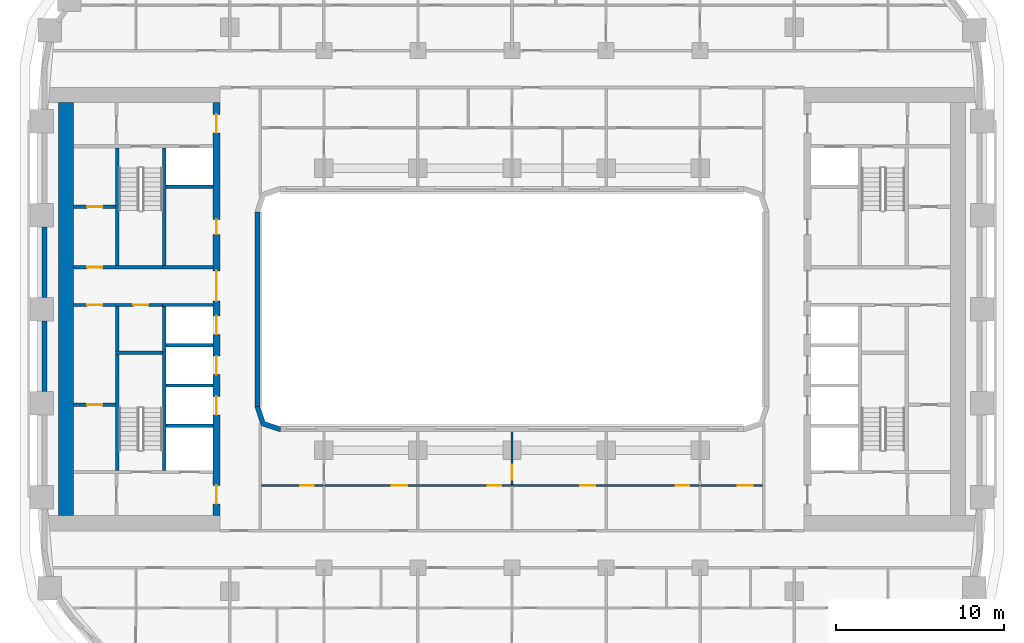
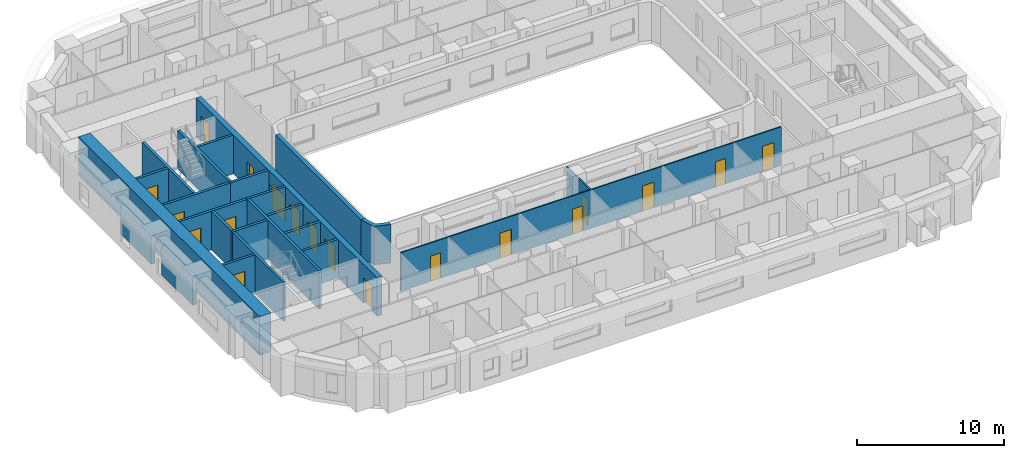
# One storey, part 4 of 22: 24 walls, 19 doors, 19 openings.
"""IFC4 building model written with IfcOpenShell, lengths in metres."""

import ifcopenshell
import ifcopenshell.guid

model = None  # the IFC model being written
_history = None  # IfcOwnerHistory: only IFC2X3 demands one
_inside = {}  # id of a spatial element -> (the spatial element, [elements in it])
_under = {}  # id of a project, library or spatial element -> (it, [spatial elements below it])
_declared = {}  # id of a project -> (the project, [libraries it declares])
_typed = {}  # id of a type object -> (the type object, [elements of that type])
_made_of = {}  # id of a material, layer set ... -> (it, [elements and type objects made of it])


def new_model(schema):
    """Start an empty IFC model of exactly this schema.

    Asked for "IFC4X3", IfcOpenShell would pick the latest addendum, in which some entities
    have other attributes; the version numbers below select the first issue.
    IFC2X3 requires an IfcOwnerHistory on every rooted entity: one is made here for all.
    """
    global model, _history
    if schema == "IFC4X3":
        model = ifcopenshell.file(schema_version=(4, 3, 0, 0))
    else:
        model = ifcopenshell.file(schema=schema)
    _inside.clear()
    _under.clear()
    _declared.clear()
    _typed.clear()
    _made_of.clear()
    _history = None
    if model.schema == "IFC2X3":
        org = make("IfcOrganization", Name="unknown")
        user = make(
            "IfcPersonAndOrganization",
            ThePerson=make("IfcPerson", FamilyName="unknown"),
            TheOrganization=org,
        )
        app = make(
            "IfcApplication",
            ApplicationDeveloper=org,
            Version="unknown",
            ApplicationFullName="unknown",
            ApplicationIdentifier="unknown",
        )
        _history = make(
            "IfcOwnerHistory",
            OwningUser=user,
            OwningApplication=app,
            ChangeAction="ADDED",
            CreationDate=0,
        )
    return model


def make(cls, **values):
    """One entity of the class cls with the attributes given. An attribute that is None is left unset."""
    return model.create_entity(
        cls, **{name: value for name, value in values.items() if value is not None}
    )


def rooted(cls, **values):
    """An entity with a GlobalId (a new one), such as an element, a storey or a relation."""
    return make(cls, GlobalId=ifcopenshell.guid.new(), OwnerHistory=_history, **values)


def si_unit(unit_type, name, prefix=None):
    """IfcSIUnit, for example si_unit("LENGTHUNIT", "METRE", prefix="MILLI")."""
    return make("IfcSIUnit", UnitType=unit_type, Prefix=prefix, Name=name)


def assignment(units):
    """IfcUnitAssignment: the units of a project."""
    return None if units is None else make("IfcUnitAssignment", Units=units)


def point(xyz):
    """IfcCartesianPoint."""
    return None if xyz is None else make("IfcCartesianPoint", Coordinates=xyz)


def direction(xyz):
    """IfcDirection."""
    return None if xyz is None else make("IfcDirection", DirectionRatios=xyz)


def frame(location, z_axis=None, x_axis=None):
    """IfcAxis2Placement3D, a coordinate frame: its origin and axes. An axis left out is left unset."""
    return make(
        "IfcAxis2Placement3D",
        Location=point(location),
        Axis=direction(z_axis),
        RefDirection=direction(x_axis),
    )


def frame_2d(location, x_axis=None):
    """IfcAxis2Placement2D, a coordinate frame in the plane: its origin and x axis."""
    return make(
        "IfcAxis2Placement2D", Location=point(location), RefDirection=direction(x_axis)
    )


def origin():
    """The frame at (0, 0, 0) with its axes left unset."""
    return frame((0.0, 0.0, 0.0))


def place(relative_to, where):
    """IfcLocalPlacement: puts the frame where relative to a parent placement (None: the world)."""
    return make(
        "IfcLocalPlacement", PlacementRelTo=relative_to, RelativePlacement=where
    )


def context(
    kind, dimensions, precision=None, world=None, true_north=None, identifier=None
):
    """IfcGeometricRepresentationContext, for example the 3D "Model" context."""
    return make(
        "IfcGeometricRepresentationContext",
        ContextIdentifier=identifier,
        ContextType=kind,
        CoordinateSpaceDimension=dimensions,
        Precision=precision,
        WorldCoordinateSystem=world,
        TrueNorth=true_north,
    )


def subcontext(parent, identifier, kind, view, scale=None):
    """IfcGeometricRepresentationSubContext, for example "Body" below "Model"."""
    return make(
        "IfcGeometricRepresentationSubContext",
        ContextIdentifier=identifier,
        ContextType=kind,
        ParentContext=parent,
        TargetScale=scale,
        TargetView=view,
    )


def project(units=None, contexts=None):
    """IfcProject with its units and contexts."""
    return rooted(
        "IfcProject",
        Name="project",
        RepresentationContexts=contexts,
        UnitsInContext=assignment(units),
    )


def spatial(cls, under=None, at=None, **own):
    """A site, building, storey or space (cls), placed at a placement, below another one or the project."""
    s = rooted(cls, ObjectPlacement=at, **own)
    if under is not None:
        _under.setdefault(under.id(), (under, []))[1].append(s)
    return s


def polyline(points):
    """IfcPolyline through the points."""
    return make("IfcPolyline", Points=[point(p) for p in points])


def profile(cls, at=None, kind="AREA", **sizes):
    """A parametric profile (cls). Its sizes go by their IFC names, for example OverallWidth=200.0."""
    return make(cls, ProfileType=kind, Position=at, **sizes)


def rectangle(**sizes):
    """IfcRectangleProfileDef."""
    return profile("IfcRectangleProfileDef", **sizes)


def outline(outer, holes=None, kind="AREA"):
    """IfcArbitraryClosedProfileDef: a profile drawn as a closed curve; with holes, ...WithVoids."""
    if holes is None:
        return make("IfcArbitraryClosedProfileDef", ProfileType=kind, OuterCurve=outer)
    return make(
        "IfcArbitraryProfileDefWithVoids",
        ProfileType=kind,
        OuterCurve=outer,
        InnerCurves=holes,
    )


def extrude(swept, where, along, depth):
    """IfcExtrudedAreaSolid: the profile swept, set in the frame where, extruded along a direction by depth."""
    return make(
        "IfcExtrudedAreaSolid",
        SweptArea=swept,
        Position=where,
        ExtrudedDirection=direction(along),
        Depth=depth,
    )


def shape(context_of_items, identifier, shape_type, items):
    """IfcShapeRepresentation: the items that make up one representation, for example the "Body"."""
    return make(
        "IfcShapeRepresentation",
        ContextOfItems=context_of_items,
        RepresentationIdentifier=identifier,
        RepresentationType=shape_type,
        Items=items,
    )


def material(Name=None, Category=None):
    """IfcMaterial."""
    return make("IfcMaterial", Name=Name, Category=Category)


def layer(
    of_material, thickness, ventilated=None, Name=None, Category=None, Priority=None
):
    """IfcMaterialLayer: one layer of a wall or slab, of a material (None: an air gap)."""
    return make(
        "IfcMaterialLayer",
        Material=of_material,
        LayerThickness=thickness,
        IsVentilated=ventilated,
        Name=Name,
        Category=Category,
        Priority=Priority,
    )


def layer_set(layers, Name=None):
    """IfcMaterialLayerSet."""
    return make("IfcMaterialLayerSet", MaterialLayers=layers, LayerSetName=Name)


def made_of(thing, what):
    """Note that an element or type object is made of a material, layer set ...; save() writes the relation."""
    if what is not None:
        _made_of.setdefault(what.id(), (what, []))[1].append(thing)
    return thing


def type_object(cls, material=None, **own):
    """A type object (cls), such as IfcWallType, which elements share."""
    return made_of(rooted(cls, **own), material)


def element(
    cls,
    number,
    at=None,
    inside=None,
    cuts=None,
    type_object=None,
    material=None,
    context=None,
    identifier="Body",
    shape_type=None,
    held_by="IfcProductDefinitionShape",
    body=None,
    shapes=None,
    **own,
):
    """One element of the class cls, such as IfcWall. Its Tag is "e" and its number.

    at: its placement. inside: the storey or other place that contains it. cuts: it is an
    opening in that element (IfcRelVoidsElement). A single representation is given by context,
    identifier, shape_type and body (its items); several are given by shapes. held_by: the class
    of the entity that holds the representations. save() writes the other relations.
    """
    e = rooted(cls, Tag="e%d" % number, ObjectPlacement=at, **own)
    if body is not None:
        shapes = [shape(context, identifier, shape_type, body)]
    if shapes is not None:
        e.Representation = make(held_by, Representations=shapes)
    if inside is not None:
        _inside.setdefault(inside.id(), (inside, []))[1].append(e)
    if cuts is not None:
        rooted(
            "IfcRelVoidsElement", RelatingBuildingElement=cuts, RelatedOpeningElement=e
        )
    if type_object is not None:
        _typed.setdefault(type_object.id(), (type_object, []))[1].append(e)
    return made_of(e, material)


def fill(opening, filler):
    """IfcRelFillsElement: the door or window that sits in an opening."""
    return rooted(
        "IfcRelFillsElement",
        RelatingOpeningElement=opening,
        RelatedBuildingElement=filler,
    )


def aggregate(whole, parts):
    """IfcRelAggregates: a whole, such as a stair, and the parts it consists of."""
    return rooted("IfcRelAggregates", RelatingObject=whole, RelatedObjects=parts)


def save(model, path):
    """Write the relations noted so far, then the file.

    IfcRelAggregates (storeys below a building ...), IfcRelContainedInSpatialStructure (elements
    in a storey), IfcRelDefinesByType, IfcRelAssociatesMaterial and IfcRelDeclares: one each for
    every whole, place, type object, material and project.
    """
    for whole, parts in _under.values():
        aggregate(whole, parts)
    for where, things in _inside.values():
        rooted(
            "IfcRelContainedInSpatialStructure",
            RelatedElements=things,
            RelatingStructure=where,
        )
    for kind, things in _typed.values():
        rooted("IfcRelDefinesByType", RelatedObjects=things, RelatingType=kind)
    for what, things in _made_of.values():
        rooted("IfcRelAssociatesMaterial", RelatedObjects=things, RelatingMaterial=what)
    for by, libraries in _declared.values():
        rooted("IfcRelDeclares", RelatingContext=by, RelatedDefinitions=libraries)
    model.write(path)


model = new_model("IFC4")

# Units and contexts
model_context = context("Model", 3, precision=1e-05, world=origin(), true_north=direction((0.0, 1.0)))
body_context = subcontext(model_context, "Body", "Model", "MODEL_VIEW")
ifc_project = project(units=[si_unit("LENGTHUNIT", "METRE"), si_unit("AREAUNIT", "SQUARE_METRE"), si_unit("VOLUMEUNIT", "CUBIC_METRE"), si_unit("PLANEANGLEUNIT", "RADIAN"), si_unit("MASSUNIT", "GRAM", prefix="KILO")], contexts=[model_context])

# Site, building, storey
site_placement = place(None, origin())
site = spatial("IfcSite", under=ifc_project, at=site_placement, CompositionType="ELEMENT")
building_placement = place(site_placement, origin())
building = spatial("IfcBuilding", under=site, at=building_placement, Name="Kiln Ring Residences", CompositionType="ELEMENT")
storey_placement = place(building_placement, frame((0.0, 0.0, 58.5)))
storey = spatial("IfcBuildingStorey", under=building, at=storey_placement, Name="L14", CompositionType="ELEMENT", Elevation=58.5)

# Wall
ifc_material_1 = material(Name="Gypsum board on steel studs", Category="steel")
ifc_layer_1 = layer(ifc_material_1, 0.199951171875)
ifc_layer_set_1 = layer_set([ifc_layer_1], Name="CORE-PARTITION-200")
wall_type_1 = type_object("IfcWallType", Name="CORE-PARTITION-200", PredefinedType="PARTITIONING", material=ifc_layer_set_1)
wall_1_placement = place(storey_placement, frame((-23.5, -2.5, 0.0), z_axis=(0.0, 0.0, 1.0), x_axis=(0.0, 1.0, 0.0)))
element("IfcWall", 1, at=wall_1_placement, inside=storey, type_object=wall_type_1, Name="Core partition west L14 1", PredefinedType="PARTITIONING", context=body_context, shape_type="SweptSolid", body=[
    extrude(rectangle(XDim=2.64990234375, YDim=0.199951171875, at=frame_2d((1.324951171875, 0.0))), origin(), (0.0, 0.0, 1.0), 3.199951171875),
])

# Wall, openings, doors
wall_2_placement = place(storey_placement, frame((-20.800048828125, 0.25, 0.0), z_axis=(0.0, 0.0, 1.0), x_axis=(-1.0, 0.0, 0.0)))
wall_2 = element("IfcWall", 2, at=wall_2_placement, inside=storey, type_object=wall_type_1, Name="Core partition west L14 2", PredefinedType="PARTITIONING", context=body_context, shape_type="SweptSolid", body=[
    extrude(rectangle(XDim=5.300048828125, YDim=0.199951171875, at=frame_2d((2.64990234375, 0.0))), origin(), (0.0, 0.0, 1.0), 3.199951171875),
])
opening_1_placement = place(wall_2_placement, frame((0.85009765625, 0.0, 0.0)))
opening_1 = element("IfcOpeningElement", 3, at=opening_1_placement, cuts=wall_2, Name="Opening L14-CW14", PredefinedType="OPENING", context=body_context, shape_type="SweptSolid", body=[
    extrude(rectangle(XDim=0.89990234375, YDim=2.10009765625, at=frame_2d((0.449951171875, 1.050048828125))), frame((0.0, 0.10986328125, 0.0), z_axis=(0.0, -1.0, 0.0), x_axis=(1.0, 0.0, 0.0)), (0.0, 0.0, 1.0), 0.219970703125),
])
opening_2_placement = place(wall_2_placement, frame((3.60009765625, 0.0, 0.0)))
opening_2 = element("IfcOpeningElement", 4, at=opening_2_placement, cuts=wall_2, Name="Opening L14-CW16", PredefinedType="OPENING", context=body_context, shape_type="SweptSolid", body=[
    extrude(rectangle(XDim=0.89990234375, YDim=2.10009765625, at=frame_2d((0.449951171875, 1.050048828125))), frame((0.0, 0.10986328125, 0.0), z_axis=(0.0, -1.0, 0.0), x_axis=(1.0, 0.0, 0.0)), (0.0, 0.0, 1.0), 0.219970703125),
])
ifc_material_2 = material(Name="Steel door leaf", Category="steel")
door_type_1 = type_object("IfcDoorType", Name="CORE-DOOR-ROOM", OperationType="SINGLE_SWING_LEFT", PredefinedType="DOOR", material=ifc_material_2)
door_1_placement = place(opening_1_placement, origin())
door_1 = element("IfcDoor", 5, at=door_1_placement, inside=storey, type_object=door_type_1, Name="Housekeeping store L14-CW14", OperationType="SINGLE_SWING_RIGHT", OverallHeight=2.10009765625, OverallWidth=0.89990234375, PredefinedType="DOOR", context=body_context, shape_type="SweptSolid", body=[
    extrude(rectangle(XDim=0.89990234375, YDim=2.10009765625, at=frame_2d((0.449951171875, 1.050048828125))), frame((0.0, 0.02490234375, 0.0), z_axis=(0.0, -1.0, 0.0), x_axis=(1.0, 0.0, 0.0)), (0.0, 0.0, 1.0), 0.050048828125),
])
fill(opening_1, door_1)
door_2_placement = place(opening_2_placement, origin())
door_2 = element("IfcDoor", 6, at=door_2_placement, inside=storey, type_object=door_type_1, Name="Battery room L14-CW16", OperationType="SINGLE_SWING_RIGHT", OverallHeight=2.10009765625, OverallWidth=0.89990234375, PredefinedType="DOOR", context=body_context, shape_type="SweptSolid", body=[
    extrude(rectangle(XDim=0.89990234375, YDim=2.10009765625, at=frame_2d((0.449951171875, 1.050048828125))), frame((0.0, 0.02490234375, 0.0), z_axis=(0.0, -1.0, 0.0), x_axis=(1.0, 0.0, 0.0)), (0.0, 0.0, 1.0), 0.050048828125),
])
fill(opening_2, door_2)

# Wall, opening, door
wall_3_placement = place(storey_placement, frame((-23.60009765625, -5.699951171875, 0.0), z_axis=(0.0, 0.0, 1.0), x_axis=(-1.0, 0.0, 0.0)))
wall_3 = element("IfcWall", 7, at=wall_3_placement, inside=storey, type_object=wall_type_1, Name="Core partition west L14 5", PredefinedType="PARTITIONING", context=body_context, shape_type="SweptSolid", body=[
    extrude(rectangle(XDim=2.5, YDim=0.199951171875, at=frame_2d((1.25, 0.0))), origin(), (0.0, 0.0, 1.0), 3.199951171875),
])
opening_3_placement = place(wall_3_placement, frame((0.800048828125, 0.0, 0.0)))
opening_3 = element("IfcOpeningElement", 8, at=opening_3_placement, cuts=wall_3, Name="Opening L14-CW15", PredefinedType="OPENING", context=body_context, shape_type="SweptSolid", body=[
    extrude(rectangle(XDim=0.89990234375, YDim=2.10009765625, at=frame_2d((0.449951171875, 1.050048828125))), frame((0.0, 0.10986328125, 0.0), z_axis=(0.0, -1.0, 0.0), x_axis=(1.0, 0.0, 0.0)), (0.0, 0.0, 1.0), 0.219970703125),
])
door_3_placement = place(opening_3_placement, origin())
door_3 = element("IfcDoor", 9, at=door_3_placement, inside=storey, type_object=door_type_1, Name="Battery room L14-CW15", OperationType="SINGLE_SWING_RIGHT", OverallHeight=2.10009765625, OverallWidth=0.89990234375, PredefinedType="DOOR", context=body_context, shape_type="SweptSolid", body=[
    extrude(rectangle(XDim=0.89990234375, YDim=2.10009765625, at=frame_2d((0.449951171875, 1.050048828125))), frame((0.0, 0.02490234375, 0.0), z_axis=(0.0, -1.0, 0.0), x_axis=(1.0, 0.0, 0.0)), (0.0, 0.0, 1.0), 0.050048828125),
])
fill(opening_3, door_3)

wall_4_placement = place(storey_placement, frame((-23.60009765625, 6.10009765625, 0.0), z_axis=(0.0, 0.0, 1.0), x_axis=(-1.0, 0.0, 0.0)))
wall_4 = element("IfcWall", 10, at=wall_4_placement, inside=storey, type_object=wall_type_1, Name="Core partition west L14 6", PredefinedType="PARTITIONING", context=body_context, shape_type="SweptSolid", body=[
    extrude(rectangle(XDim=2.5, YDim=0.199951171875, at=frame_2d((1.25, 0.0))), origin(), (0.0, 0.0, 1.0), 3.199951171875),
])
opening_4_placement = place(wall_4_placement, frame((0.800048828125, 0.0, 0.0)))
opening_4 = element("IfcOpeningElement", 11, at=opening_4_placement, cuts=wall_4, Name="Opening L14-CW17", PredefinedType="OPENING", context=body_context, shape_type="SweptSolid", body=[
    extrude(rectangle(XDim=0.89990234375, YDim=2.10009765625, at=frame_2d((0.449951171875, 1.050048828125))), frame((0.0, 0.10986328125, 0.0), z_axis=(0.0, -1.0, 0.0), x_axis=(1.0, 0.0, 0.0)), (0.0, 0.0, 1.0), 0.219970703125),
])
door_4_placement = place(opening_4_placement, origin())
door_4 = element("IfcDoor", 12, at=door_4_placement, inside=storey, type_object=door_type_1, Name="Electrical plant room L14-CW17", OperationType="SINGLE_SWING_RIGHT", OverallHeight=2.10009765625, OverallWidth=0.89990234375, PredefinedType="DOOR", context=body_context, shape_type="SweptSolid", body=[
    extrude(rectangle(XDim=0.89990234375, YDim=2.10009765625, at=frame_2d((0.449951171875, 1.050048828125))), frame((0.0, 0.02490234375, 0.0), z_axis=(0.0, -1.0, 0.0), x_axis=(1.0, 0.0, 0.0)), (0.0, 0.0, 1.0), 0.050048828125),
])
fill(opening_4, door_4)

# Walls
ifc_material_3 = material(Name="Gypsum shaft wall system")
ifc_layer_2 = layer(ifc_material_3, 0.199951171875)
ifc_layer_set_2 = layer_set([ifc_layer_2], Name="CORE-SHAFT-WALL-200")
wall_type_2 = type_object("IfcWallType", Name="CORE-SHAFT-WALL-200", PredefinedType="PARTITIONING", material=ifc_layer_set_2)
for number, where, z_axis, x_axis, name in (
    (13, (-17.800048828125, -6.949951171875, 0.0), (0.0, 0.0, 1.0), (-1.0, 0.0, 0.0), "Core partition west L14 7"),
    (14, (-17.800048828125, -4.550048828125, 0.0), (0.0, 0.0, 1.0), (-1.0, 0.0, 0.0), "Core partition west L14 8"),
    (15, (-17.800048828125, -2.14990234375, 0.0), (0.0, 0.0, 1.0), (-1.0, 0.0, 0.0), "Core partition west L14 9"),
):
    element("IfcWall", number, at=place(storey_placement, frame(where, z_axis=z_axis, x_axis=x_axis)), inside=storey, type_object=wall_type_2, Name=name, PredefinedType="PARTITIONING", context=body_context, shape_type="SweptSolid", body=[
        extrude(rectangle(XDim=2.800048828125, YDim=0.199951171875, at=frame_2d((1.39990234375, 0.0))), origin(), (0.0, 0.0, 1.0), 3.199951171875),
    ])
for number, where, z_axis, x_axis, name in (
    (16, (-17.800048828125, 0.25, 0.0), (0.0, 0.0, 1.0), (-1.0, 0.0, 0.0), "Core partition west L14 10"),
    (17, (-17.800048828125, 2.5, 0.0), (0.0, 0.0, 1.0), (-1.0, 0.0, 0.0), "Core partition west L14 11"),
):
    element("IfcWall", number, at=place(storey_placement, frame(where, z_axis=z_axis, x_axis=x_axis)), inside=storey, type_object=wall_type_2, Name=name, PredefinedType="PARTITIONING", context=body_context, shape_type="SweptSolid", body=[
        extrude(rectangle(XDim=3.0, YDim=0.199951171875, at=frame_2d((1.5, 0.0))), origin(), (0.0, 0.0, 1.0), 3.199951171875),
    ])
wall_5_placement = place(storey_placement, frame((-17.800048828125, 7.300048828125, 0.0), z_axis=(0.0, 0.0, 1.0), x_axis=(-1.0, 0.0, 0.0)))
element("IfcWall", 18, at=wall_5_placement, inside=storey, type_object=wall_type_2, Name="Core partition west L14 12", PredefinedType="PARTITIONING", context=body_context, shape_type="SweptSolid", body=[
    extrude(rectangle(XDim=2.800048828125, YDim=0.199951171875, at=frame_2d((1.39990234375, 0.0))), origin(), (0.0, 0.0, 1.0), 3.199951171875),
])
ifc_material_4 = material(Name="Concrete C40/50", Category="concrete")
ifc_layer_3 = layer(ifc_material_4, 0.199951171875)
ifc_layer_set_3 = layer_set([ifc_layer_3], Name="CORE-WALL-RC200")
wall_type_3 = type_object("IfcWallType", Name="CORE-WALL-RC200", PredefinedType="SHEAR", material=ifc_layer_set_3)
wall_6_placement = place(storey_placement, frame((-20.699951171875, 2.60009765625, 0.0), z_axis=(0.0, 0.0, 1.0), x_axis=(0.0, 1.0, 0.0)))
element("IfcWall", 19, at=wall_6_placement, inside=storey, type_object=wall_type_3, Name="Core wall west L14 1", PredefinedType="SHEAR", context=body_context, shape_type="SweptSolid", body=[
    extrude(rectangle(XDim=7.0, YDim=0.199951171875, at=frame_2d((3.5, 0.0))), origin(), (0.0, 0.0, 1.0), 3.199951171875),
])
wall_7_placement = place(storey_placement, frame((-20.699951171875, -9.60009765625, 0.0), z_axis=(0.0, 0.0, 1.0), x_axis=(0.0, 1.0, 0.0)))
element("IfcWall", 20, at=wall_7_placement, inside=storey, type_object=wall_type_3, Name="Core wall west L14 2", PredefinedType="SHEAR", context=body_context, shape_type="SweptSolid", body=[
    extrude(rectangle(XDim=9.75, YDim=0.199951171875, at=frame_2d((4.875, 0.0))), origin(), (0.0, 0.0, 1.0), 3.199951171875),
])

# Wall, opening, door
wall_8_placement = place(storey_placement, frame((-20.800048828125, 2.5, 0.0), z_axis=(0.0, 0.0, 1.0), x_axis=(-1.0, 0.0, 0.0)))
wall_8 = element("IfcWall", 21, at=wall_8_placement, inside=storey, type_object=wall_type_3, Name="Core wall west L14 3", PredefinedType="SHEAR", context=body_context, shape_type="SweptSolid", body=[
    extrude(rectangle(XDim=5.300048828125, YDim=0.199951171875, at=frame_2d((2.64990234375, 0.0))), origin(), (0.0, 0.0, 1.0), 3.199951171875),
])
opening_5_placement = place(wall_8_placement, frame((3.60009765625, 0.0, 0.0)))
opening_5 = element("IfcOpeningElement", 22, at=opening_5_placement, cuts=wall_8, Name="Opening L14-CW18", PredefinedType="OPENING", context=body_context, shape_type="SweptSolid", body=[
    extrude(rectangle(XDim=0.89990234375, YDim=2.10009765625, at=frame_2d((0.449951171875, 1.050048828125))), frame((0.0, 0.10986328125, 0.0), z_axis=(0.0, -1.0, 0.0), x_axis=(1.0, 0.0, 0.0)), (0.0, 0.0, 1.0), 0.219970703125),
])
door_5_placement = place(opening_5_placement, origin())
door_5 = element("IfcDoor", 23, at=door_5_placement, inside=storey, type_object=door_type_1, Name="Comms room L14-CW18", OperationType="SINGLE_SWING_LEFT", OverallHeight=2.10009765625, OverallWidth=0.89990234375, PredefinedType="DOOR", context=body_context, shape_type="SweptSolid", body=[
    extrude(rectangle(XDim=0.89990234375, YDim=2.10009765625, at=frame_2d((0.449951171875, 1.050048828125))), frame((0.0, 0.02490234375, 0.0), z_axis=(0.0, -1.0, 0.0), x_axis=(1.0, 0.0, 0.0)), (0.0, 0.0, 1.0), 0.050048828125),
])
fill(opening_5, door_5)

# Walls
wall_9_placement = place(storey_placement, frame((-23.5, 2.60009765625, 0.0), z_axis=(0.0, 0.0, 1.0), x_axis=(0.0, 1.0, 0.0)))
element("IfcWall", 24, at=wall_9_placement, inside=storey, type_object=wall_type_3, Name="Core wall west L14 10", PredefinedType="SHEAR", context=body_context, shape_type="SweptSolid", body=[
    extrude(rectangle(XDim=7.0, YDim=0.199951171875, at=frame_2d((3.5, 0.0))), origin(), (0.0, 0.0, 1.0), 3.199951171875),
])
wall_10_placement = place(storey_placement, frame((-23.5, -9.60009765625, 0.0), z_axis=(0.0, 0.0, 1.0), x_axis=(0.0, 1.0, 0.0)))
element("IfcWall", 25, at=wall_10_placement, inside=storey, type_object=wall_type_3, Name="Core wall west L14 11", PredefinedType="SHEAR", context=body_context, shape_type="SweptSolid", body=[
    extrude(rectangle(XDim=6.900146484375, YDim=0.199951171875, at=frame_2d((3.4501953125, 0.0))), origin(), (0.0, 0.0, 1.0), 3.199951171875),
])
wall_11_placement = place(storey_placement, frame((-20.800048828125, -2.60009765625, 0.0), z_axis=(0.0, 0.0, 1.0), x_axis=(-1.0, 0.0, 0.0)))
element("IfcWall", 26, at=wall_11_placement, inside=storey, type_object=wall_type_3, Name="Core wall west L14 12", PredefinedType="SHEAR", context=body_context, shape_type="SweptSolid", body=[
    extrude(rectangle(XDim=2.800048828125, YDim=0.199951171875, at=frame_2d((1.39990234375, 0.0))), origin(), (0.0, 0.0, 1.0), 3.199951171875),
])

# Wall, openings, doors
ifc_material_5 = material(Name="Concrete C60/75", Category="concrete")
ifc_layer_4 = layer(ifc_material_5, 0.39990234375)
ifc_layer_set_4 = layer_set([ifc_layer_4], Name="CORE-WALL-RC400")
wall_type_4 = type_object("IfcWallType", Name="CORE-WALL-RC400", PredefinedType="SHEAR", material=ifc_layer_set_4)
wall_12_placement = place(storey_placement, frame((-17.60009765625, -12.300048828125, 0.0), z_axis=(0.0, 0.0, 1.0), x_axis=(0.0, 1.0, 0.0)))
wall_12 = element("IfcWall", 27, at=wall_12_placement, inside=storey, type_object=wall_type_4, Name="Core wall west L14 6", PredefinedType="SHEAR", context=body_context, shape_type="SweptSolid", body=[
    extrude(rectangle(XDim=24.60009765625, YDim=0.39990234375, at=frame_2d((12.300048828125, 0.0))), origin(), (0.0, 0.0, 1.0), 3.199951171875),
])
opening_6_placement = place(wall_12_placement, frame((6.0, 0.0, 0.0)))
opening_6 = element("IfcOpeningElement", 28, at=opening_6_placement, cuts=wall_12, Name="Opening L14-CW02", PredefinedType="OPENING", context=body_context, shape_type="SweptSolid", body=[
    extrude(rectangle(XDim=1.10009765625, YDim=2.10009765625, at=frame_2d((0.550048828125, 1.050048828125))), frame((0.0, 0.2099609375, 0.0), z_axis=(0.0, -1.0, 0.0), x_axis=(1.0, 0.0, 0.0)), (0.0, 0.0, 1.0), 0.419921875),
])
opening_7_placement = place(wall_12_placement, frame((8.39990234375, 0.0, 0.0)))
opening_7 = element("IfcOpeningElement", 29, at=opening_7_placement, cuts=wall_12, Name="Opening L14-CW03", PredefinedType="OPENING", context=body_context, shape_type="SweptSolid", body=[
    extrude(rectangle(XDim=1.10009765625, YDim=2.10009765625, at=frame_2d((0.550048828125, 1.050048828125))), frame((0.0, 0.2099609375, 0.0), z_axis=(0.0, -1.0, 0.0), x_axis=(1.0, 0.0, 0.0)), (0.0, 0.0, 1.0), 0.419921875),
])
opening_8_placement = place(wall_12_placement, frame((10.800048828125, 0.0, 0.0)))
opening_8 = element("IfcOpeningElement", 30, at=opening_8_placement, cuts=wall_12, Name="Opening L14-CW04", PredefinedType="OPENING", context=body_context, shape_type="SweptSolid", body=[
    extrude(rectangle(XDim=1.10009765625, YDim=2.10009765625, at=frame_2d((0.550048828125, 1.050048828125))), frame((0.0, 0.2099609375, 0.0), z_axis=(0.0, -1.0, 0.0), x_axis=(1.0, 0.0, 0.0)), (0.0, 0.0, 1.0), 0.419921875),
])
opening_9_placement = place(wall_12_placement, frame((16.75, 0.0, 0.0)))
opening_9 = element("IfcOpeningElement", 31, at=opening_9_placement, cuts=wall_12, Name="Opening L14-CW05", PredefinedType="OPENING", context=body_context, shape_type="SweptSolid", body=[
    extrude(rectangle(XDim=0.89990234375, YDim=2.10009765625, at=frame_2d((0.449951171875, 1.050048828125))), frame((0.0, 0.2099609375, 0.0), z_axis=(0.0, -1.0, 0.0), x_axis=(1.0, 0.0, 0.0)), (0.0, 0.0, 1.0), 0.419921875),
])
opening_10_placement = place(wall_12_placement, frame((22.800048828125, 0.0, 0.0)))
opening_10 = element("IfcOpeningElement", 32, at=opening_10_placement, cuts=wall_12, Name="Opening L14-CW07", PredefinedType="OPENING", context=body_context, shape_type="SweptSolid", body=[
    extrude(rectangle(XDim=1.10009765625, YDim=2.10009765625, at=frame_2d((0.550048828125, 1.050048828125))), frame((0.0, 0.2099609375, 0.0), z_axis=(0.0, -1.0, 0.0), x_axis=(1.0, 0.0, 0.0)), (0.0, 0.0, 1.0), 0.419921875),
])
opening_11_placement = place(wall_12_placement, frame((0.699951171875, 0.0, 0.0)))
opening_11 = element("IfcOpeningElement", 33, at=opening_11_placement, cuts=wall_12, Name="Opening L14-CW08", PredefinedType="OPENING", context=body_context, shape_type="SweptSolid", body=[
    extrude(rectangle(XDim=1.10009765625, YDim=2.10009765625, at=frame_2d((0.550048828125, 1.050048828125))), frame((0.0, 0.2099609375, 0.0), z_axis=(0.0, -1.0, 0.0), x_axis=(1.0, 0.0, 0.0)), (0.0, 0.0, 1.0), 0.419921875),
])
opening_12_placement = place(wall_12_placement, frame((12.77490234375, 0.0, 0.0)))
opening_12 = element("IfcOpeningElement", 34, at=opening_12_placement, cuts=wall_12, Name="Opening L14-CW13", PredefinedType="OPENING", context=body_context, shape_type="SweptSolid", body=[
    extrude(rectangle(XDim=1.800048828125, YDim=2.10009765625, at=frame_2d((0.89990234375, 1.050048828125))), frame((0.0, 0.2099609375, 0.0), z_axis=(0.0, -1.0, 0.0), x_axis=(1.0, 0.0, 0.0)), (0.0, 0.0, 1.0), 0.419921875),
])
ifc_material_6 = material(Name="Steel door leaf", Category="steel")
door_type_2 = type_object("IfcDoorType", Name="CORE-DOOR-LD", OperationType="DOUBLE_DOOR_SLIDING", PredefinedType="DOOR", material=ifc_material_6)
door_6_placement = place(opening_6_placement, origin())
door_6 = element("IfcDoor", 35, at=door_6_placement, inside=storey, type_object=door_type_2, Name="LD W-L1 L14-CW02", OperationType="DOUBLE_DOOR_SLIDING", OverallHeight=2.10009765625, OverallWidth=1.10009765625, PredefinedType="DOOR", context=body_context, shape_type="SweptSolid", body=[
    extrude(rectangle(XDim=1.10009765625, YDim=2.10009765625, at=frame_2d((0.550048828125, 1.050048828125))), frame((0.0, 0.02490234375, 0.0), z_axis=(0.0, -1.0, 0.0), x_axis=(1.0, 0.0, 0.0)), (0.0, 0.0, 1.0), 0.050048828125),
])
fill(opening_6, door_6)
door_7_placement = place(opening_7_placement, origin())
door_7 = element("IfcDoor", 36, at=door_7_placement, inside=storey, type_object=door_type_2, Name="LD W-L2 L14-CW03", OperationType="DOUBLE_DOOR_SLIDING", OverallHeight=2.10009765625, OverallWidth=1.10009765625, PredefinedType="DOOR", context=body_context, shape_type="SweptSolid", body=[
    extrude(rectangle(XDim=1.10009765625, YDim=2.10009765625, at=frame_2d((0.550048828125, 1.050048828125))), frame((0.0, 0.02490234375, 0.0), z_axis=(0.0, -1.0, 0.0), x_axis=(1.0, 0.0, 0.0)), (0.0, 0.0, 1.0), 0.050048828125),
])
fill(opening_7, door_7)
door_8_placement = place(opening_8_placement, origin())
door_8 = element("IfcDoor", 37, at=door_8_placement, inside=storey, type_object=door_type_2, Name="LD W-L3 L14-CW04", OperationType="DOUBLE_DOOR_SLIDING", OverallHeight=2.10009765625, OverallWidth=1.10009765625, PredefinedType="DOOR", context=body_context, shape_type="SweptSolid", body=[
    extrude(rectangle(XDim=1.10009765625, YDim=2.10009765625, at=frame_2d((0.550048828125, 1.050048828125))), frame((0.0, 0.02490234375, 0.0), z_axis=(0.0, -1.0, 0.0), x_axis=(1.0, 0.0, 0.0)), (0.0, 0.0, 1.0), 0.050048828125),
])
fill(opening_8, door_8)
ifc_material_7 = material(Name="Steel door leaf", Category="steel")
door_type_3 = type_object("IfcDoorType", Name="CORE-DOOR-LOBBY", OperationType="SINGLE_SWING_LEFT", PredefinedType="DOOR", material=ifc_material_7)
door_9_placement = place(opening_10_placement, origin())
door_9 = element("IfcDoor", 38, at=door_9_placement, inside=storey, type_object=door_type_3, Name="FFL L14-CW07", OperationType="SINGLE_SWING_RIGHT", OverallHeight=2.10009765625, OverallWidth=1.10009765625, PredefinedType="DOOR", context=body_context, shape_type="SweptSolid", body=[
    extrude(rectangle(XDim=1.10009765625, YDim=2.10009765625, at=frame_2d((0.550048828125, 1.050048828125))), frame((0.0, 0.02490234375, 0.0), z_axis=(0.0, -1.0, 0.0), x_axis=(1.0, 0.0, 0.0)), (0.0, 0.0, 1.0), 0.050048828125),
])
fill(opening_10, door_9)
door_10_placement = place(opening_11_placement, origin())
door_10 = element("IfcDoor", 39, at=door_10_placement, inside=storey, type_object=door_type_3, Name="SVL L14-CW08", OperationType="SINGLE_SWING_LEFT", OverallHeight=2.10009765625, OverallWidth=1.10009765625, PredefinedType="DOOR", context=body_context, shape_type="SweptSolid", body=[
    extrude(rectangle(XDim=1.10009765625, YDim=2.10009765625, at=frame_2d((0.550048828125, 1.050048828125))), frame((0.0, 0.02490234375, 0.0), z_axis=(0.0, -1.0, 0.0), x_axis=(1.0, 0.0, 0.0)), (0.0, 0.0, 1.0), 0.050048828125),
])
fill(opening_11, door_10)
ifc_material_8 = material(Name="Steel door leaf", Category="steel")
door_type_4 = type_object("IfcDoorType", Name="CORE-DOOR-PASS", OperationType="DOUBLE_DOOR_SINGLE_SWING", PredefinedType="DOOR", material=ifc_material_8)
door_11_placement = place(opening_12_placement, origin())
door_11 = element("IfcDoor", 40, at=door_11_placement, inside=storey, type_object=door_type_4, Name="Core passage L14-CW13", OperationType="DOUBLE_DOOR_SINGLE_SWING", OverallHeight=2.10009765625, OverallWidth=1.800048828125, PredefinedType="DOOR", context=body_context, shape_type="SweptSolid", body=[
    extrude(rectangle(XDim=1.800048828125, YDim=2.10009765625, at=frame_2d((0.89990234375, 1.050048828125))), frame((0.0, 0.02490234375, 0.0), z_axis=(0.0, -1.0, 0.0), x_axis=(1.0, 0.0, 0.0)), (0.0, 0.0, 1.0), 0.050048828125),
])
fill(opening_12, door_11)
door_12_placement = place(opening_9_placement, origin())
door_12 = element("IfcDoor", 41, at=door_12_placement, inside=storey, type_object=door_type_1, Name="Locker store L14-CW05", OperationType="SINGLE_SWING_LEFT", OverallHeight=2.10009765625, OverallWidth=0.89990234375, PredefinedType="DOOR", context=body_context, shape_type="SweptSolid", body=[
    extrude(rectangle(XDim=0.89990234375, YDim=2.10009765625, at=frame_2d((0.449951171875, 1.050048828125))), frame((0.0, 0.02490234375, 0.0), z_axis=(0.0, -1.0, 0.0), x_axis=(1.0, 0.0, 0.0)), (0.0, 0.0, 1.0), 0.050048828125),
])
fill(opening_9, door_12)

# Walls
ifc_material_9 = material(Name="Concrete C60/75", Category="concrete")
ifc_layer_5 = layer(ifc_material_9, 0.89990234375)
ifc_layer_set_5 = layer_set([ifc_layer_5], Name="CORE-WALL-RC900")
wall_type_5 = type_object("IfcWallType", Name="CORE-WALL-RC900", PredefinedType="SHEAR", material=ifc_layer_set_5)
wall_13_placement = place(storey_placement, frame((-26.550048828125, -12.300048828125, 0.0), z_axis=(0.0, 0.0, 1.0), x_axis=(0.0, 1.0, 0.0)))
element("IfcWall", 42, at=wall_13_placement, inside=storey, type_object=wall_type_5, Name="Core wall west L14 7", PredefinedType="SHEAR", context=body_context, shape_type="SweptSolid", body=[
    extrude(rectangle(XDim=24.60009765625, YDim=0.89990234375, at=frame_2d((12.300048828125, 0.0))), origin(), (0.0, 0.0, 1.0), 3.199951171875),
])
ifc_material_10 = material(Name="Brick masonry, dark clay brick", Category="masonry")
ifc_layer_6 = layer(ifc_material_10, 0.300048828125)
ifc_layer_set_6 = layer_set([ifc_layer_6], Name="EW-300 BRICK WALL")
wall_type_6 = type_object("IfcWallType", Name="EW-300 BRICK WALL", PredefinedType="SOLIDWALL", material=ifc_layer_set_6)
for number, where, z_axis, x_axis, name in (
    (43, (-27.85009765625, 4.89990234375, 0.0), (0.0, 0.0, 1.0), (0.0, -1.0, 0.0), "Facade wall L14 43"),
    (44, (-27.85009765625, -0.699951171875, 0.0), (0.0, 0.0, 1.0), (0.0, -1.0, 0.0), "Facade wall L14 44"),
):
    element("IfcWall", number, at=place(storey_placement, frame(where, z_axis=z_axis, x_axis=x_axis)), inside=storey, type_object=wall_type_6, Name=name, PredefinedType="SOLIDWALL", context=body_context, shape_type="SweptSolid", body=[
        extrude(rectangle(XDim=4.199951171875, YDim=0.300048828125, at=frame_2d((2.10009765625, 0.0))), origin(), (0.0, 0.0, 1.0), 2.35009765625),
    ])
wall_14_placement = place(storey_placement, frame((-15.14990234375, -5.800048828125, 0.0), z_axis=(0.0, 0.0, 1.0), x_axis=(0.0, 1.0, 0.0)))
element("IfcWall", 45, at=wall_14_placement, inside=storey, type_object=wall_type_6, Name="Facade wall L14 49", PredefinedType="SOLIDWALL", context=body_context, shape_type="SweptSolid", body=[
    extrude(rectangle(XDim=11.60009765625, YDim=0.300048828125, at=frame_2d((5.800048828125, 0.0))), origin(), (0.0, 0.0, 1.0), 3.199951171875),
])
wall_15_placement = place(storey_placement, origin())
element("IfcWall", 46, at=wall_15_placement, inside=storey, type_object=wall_type_6, Name="Corner wall L14 4", PredefinedType="SOLIDWALL", context=body_context, shape_type="SweptSolid", body=[
    extrude(outline(polyline([(-14.937255859375, -6.937255859375), (-13.8486328125, -7.300048828125), (-13.800048828125, -7.300048828125), (-13.800048828125, -7.0), (-14.699951171875, -6.699951171875), (-15.0, -5.800048828125), (-15.300048828125, -5.800048828125), (-15.300048828125, -5.8486328125), (-14.937255859375, -6.937255859375)])), origin(), (0.0, 0.0, 1.0), 3.199951171875),
])

# Wall, openings, doors
ifc_material_11 = material(Name="Gypsum board on steel studs", Category="steel")
ifc_layer_7 = layer(ifc_material_11, 0.10009765625)
ifc_layer_set_7 = layer_set([ifc_layer_7], Name="PARTITION-100")
wall_type_7 = type_object("IfcWallType", Name="PARTITION-100", PredefinedType="PARTITIONING", material=ifc_layer_set_7)
wall_16_placement = place(storey_placement, frame((-14.925048828125, -10.5, 0.0), z_axis=(0.0, 0.0, 1.0), x_axis=(1.0, 0.0, 0.0)))
wall_16 = element("IfcWall", 47, at=wall_16_placement, inside=storey, type_object=wall_type_7, Name="Partition 003", PredefinedType="PARTITIONING", context=body_context, shape_type="SweptSolid", body=[
    extrude(rectangle(XDim=29.85009765625, YDim=0.10009765625, at=frame_2d((14.925048828125, 0.0))), origin(), (0.0, 0.0, 1.0), 3.199951171875),
])
opening_13_placement = place(wall_16_placement, frame((2.324951171875, 0.0, 0.0)))
opening_13 = element("IfcOpeningElement", 48, at=opening_13_placement, cuts=wall_16, Name="Opening L14-D042", PredefinedType="OPENING", context=body_context, shape_type="SweptSolid", body=[
    extrude(rectangle(XDim=0.800048828125, YDim=2.10009765625, at=frame_2d((0.39990234375, 1.050048828125))), frame((0.0, 0.06005859375, 0.0), z_axis=(0.0, -1.0, 0.0), x_axis=(1.0, 0.0, 0.0)), (0.0, 0.0, 1.0), 0.1201171875),
])
opening_14_placement = place(wall_16_placement, frame((7.77490234375, 0.0, 0.0)))
opening_14 = element("IfcOpeningElement", 49, at=opening_14_placement, cuts=wall_16, Name="Opening L14-D043", PredefinedType="OPENING", context=body_context, shape_type="SweptSolid", body=[
    extrude(rectangle(XDim=0.89990234375, YDim=2.10009765625, at=frame_2d((0.449951171875, 1.050048828125))), frame((0.0, 0.06005859375, 0.0), z_axis=(0.0, -1.0, 0.0), x_axis=(1.0, 0.0, 0.0)), (0.0, 0.0, 1.0), 0.1201171875),
])
opening_15_placement = place(wall_16_placement, frame((13.47509765625, 0.0, 0.0)))
opening_15 = element("IfcOpeningElement", 50, at=opening_15_placement, cuts=wall_16, Name="Opening L14-D046", PredefinedType="OPENING", context=body_context, shape_type="SweptSolid", body=[
    extrude(rectangle(XDim=0.800048828125, YDim=2.10009765625, at=frame_2d((0.39990234375, 1.050048828125))), frame((0.0, 0.06005859375, 0.0), z_axis=(0.0, -1.0, 0.0), x_axis=(1.0, 0.0, 0.0)), (0.0, 0.0, 1.0), 0.1201171875),
])
opening_16_placement = place(wall_16_placement, frame((18.97509765625, 0.0, 0.0)))
opening_16 = element("IfcOpeningElement", 51, at=opening_16_placement, cuts=wall_16, Name="Opening L14-D047", PredefinedType="OPENING", context=body_context, shape_type="SweptSolid", body=[
    extrude(rectangle(XDim=0.89990234375, YDim=2.10009765625, at=frame_2d((0.449951171875, 1.050048828125))), frame((0.0, 0.06005859375, 0.0), z_axis=(0.0, -1.0, 0.0), x_axis=(1.0, 0.0, 0.0)), (0.0, 0.0, 1.0), 0.1201171875),
])
opening_17_placement = place(wall_16_placement, frame((24.675048828125, 0.0, 0.0)))
opening_17 = element("IfcOpeningElement", 52, at=opening_17_placement, cuts=wall_16, Name="Opening L14-D050", PredefinedType="OPENING", context=body_context, shape_type="SweptSolid", body=[
    extrude(rectangle(XDim=0.800048828125, YDim=2.10009765625, at=frame_2d((0.39990234375, 1.050048828125))), frame((0.0, 0.06005859375, 0.0), z_axis=(0.0, -1.0, 0.0), x_axis=(1.0, 0.0, 0.0)), (0.0, 0.0, 1.0), 0.1201171875),
])
opening_18_placement = place(wall_16_placement, frame((28.375, 0.0, 0.0)))
opening_18 = element("IfcOpeningElement", 53, at=opening_18_placement, cuts=wall_16, Name="Opening L14-D051", PredefinedType="OPENING", context=body_context, shape_type="SweptSolid", body=[
    extrude(rectangle(XDim=0.89990234375, YDim=2.10009765625, at=frame_2d((0.449951171875, 1.050048828125))), frame((0.0, 0.06005859375, 0.0), z_axis=(0.0, -1.0, 0.0), x_axis=(1.0, 0.0, 0.0)), (0.0, 0.0, 1.0), 0.1201171875),
])
ifc_material_12 = material(Name="Timber door leaf", Category="wood")
door_type_5 = type_object("IfcDoorType", Name="FLAT-DOOR-800-PL", OperationType="SINGLE_SWING_LEFT", PredefinedType="DOOR", material=ifc_material_12)
door_13_placement = place(opening_13_placement, origin())
door_13 = element("IfcDoor", 54, at=door_13_placement, inside=storey, type_object=door_type_5, Name="Door L14-D042", OperationType="SINGLE_SWING_RIGHT", OverallHeight=2.10009765625, OverallWidth=0.800048828125, PredefinedType="DOOR", context=body_context, shape_type="SweptSolid", body=[
    extrude(rectangle(XDim=0.800048828125, YDim=2.10009765625, at=frame_2d((0.39990234375, 1.050048828125))), frame((0.0, 0.02490234375, 0.0), z_axis=(0.0, -1.0, 0.0), x_axis=(1.0, 0.0, 0.0)), (0.0, 0.0, 1.0), 0.050048828125),
])
fill(opening_13, door_13)
door_14_placement = place(opening_15_placement, origin())
door_14 = element("IfcDoor", 55, at=door_14_placement, inside=storey, type_object=door_type_5, Name="Door L14-D046", OperationType="SINGLE_SWING_RIGHT", OverallHeight=2.10009765625, OverallWidth=0.800048828125, PredefinedType="DOOR", context=body_context, shape_type="SweptSolid", body=[
    extrude(rectangle(XDim=0.800048828125, YDim=2.10009765625, at=frame_2d((0.39990234375, 1.050048828125))), frame((0.0, 0.02490234375, 0.0), z_axis=(0.0, -1.0, 0.0), x_axis=(1.0, 0.0, 0.0)), (0.0, 0.0, 1.0), 0.050048828125),
])
fill(opening_15, door_14)
door_15_placement = place(opening_17_placement, origin())
door_15 = element("IfcDoor", 56, at=door_15_placement, inside=storey, type_object=door_type_5, Name="Door L14-D050", OperationType="SINGLE_SWING_RIGHT", OverallHeight=2.10009765625, OverallWidth=0.800048828125, PredefinedType="DOOR", context=body_context, shape_type="SweptSolid", body=[
    extrude(rectangle(XDim=0.800048828125, YDim=2.10009765625, at=frame_2d((0.39990234375, 1.050048828125))), frame((0.0, 0.02490234375, 0.0), z_axis=(0.0, -1.0, 0.0), x_axis=(1.0, 0.0, 0.0)), (0.0, 0.0, 1.0), 0.050048828125),
])
fill(opening_17, door_15)
ifc_material_13 = material(Name="Timber door leaf", Category="wood")
door_type_6 = type_object("IfcDoorType", Name="FLAT-DOOR-900-PL", OperationType="SINGLE_SWING_LEFT", PredefinedType="DOOR", material=ifc_material_13)
door_16_placement = place(opening_14_placement, origin())
door_16 = element("IfcDoor", 57, at=door_16_placement, inside=storey, type_object=door_type_6, Name="Door L14-D043", OperationType="SINGLE_SWING_LEFT", OverallHeight=2.10009765625, OverallWidth=0.89990234375, PredefinedType="DOOR", context=body_context, shape_type="SweptSolid", body=[
    extrude(rectangle(XDim=0.89990234375, YDim=2.10009765625, at=frame_2d((0.449951171875, 1.050048828125))), frame((0.0, 0.02490234375, 0.0), z_axis=(0.0, -1.0, 0.0), x_axis=(1.0, 0.0, 0.0)), (0.0, 0.0, 1.0), 0.050048828125),
])
fill(opening_14, door_16)
door_17_placement = place(opening_16_placement, origin())
door_17 = element("IfcDoor", 58, at=door_17_placement, inside=storey, type_object=door_type_6, Name="Door L14-D047", OperationType="SINGLE_SWING_LEFT", OverallHeight=2.10009765625, OverallWidth=0.89990234375, PredefinedType="DOOR", context=body_context, shape_type="SweptSolid", body=[
    extrude(rectangle(XDim=0.89990234375, YDim=2.10009765625, at=frame_2d((0.449951171875, 1.050048828125))), frame((0.0, 0.02490234375, 0.0), z_axis=(0.0, -1.0, 0.0), x_axis=(1.0, 0.0, 0.0)), (0.0, 0.0, 1.0), 0.050048828125),
])
fill(opening_16, door_17)
door_18_placement = place(opening_18_placement, origin())
door_18 = element("IfcDoor", 59, at=door_18_placement, inside=storey, type_object=door_type_6, Name="Door L14-D051", OperationType="SINGLE_SWING_LEFT", OverallHeight=2.10009765625, OverallWidth=0.89990234375, PredefinedType="DOOR", context=body_context, shape_type="SweptSolid", body=[
    extrude(rectangle(XDim=0.89990234375, YDim=2.10009765625, at=frame_2d((0.449951171875, 1.050048828125))), frame((0.0, 0.02490234375, 0.0), z_axis=(0.0, -1.0, 0.0), x_axis=(1.0, 0.0, 0.0)), (0.0, 0.0, 1.0), 0.050048828125),
])
fill(opening_18, door_18)

# Wall, opening, door
wall_17_placement = place(storey_placement, frame((0.0, -10.449951171875, 0.0), z_axis=(0.0, 0.0, 1.0), x_axis=(0.0, 1.0, 0.0)))
wall_17 = element("IfcWall", 60, at=wall_17_placement, inside=storey, type_object=wall_type_7, Name="Partition 041", PredefinedType="PARTITIONING", context=body_context, shape_type="SweptSolid", body=[
    extrude(rectangle(XDim=3.1298828125, YDim=0.10009765625, at=frame_2d((1.56494140625, 0.0))), origin(), (0.0, 0.0, 1.0), 3.199951171875),
])
opening_19_placement = place(wall_17_placement, frame((0.280029296875, 0.0, 0.0)))
opening_19 = element("IfcOpeningElement", 61, at=opening_19_placement, cuts=wall_17, Name="Opening L14-D048", PredefinedType="OPENING", context=body_context, shape_type="SweptSolid", body=[
    extrude(rectangle(XDim=0.89990234375, YDim=2.10009765625, at=frame_2d((0.449951171875, 1.050048828125))), frame((0.0, 0.06005859375, 0.0), z_axis=(0.0, -1.0, 0.0), x_axis=(1.0, 0.0, 0.0)), (0.0, 0.0, 1.0), 0.1201171875),
])
door_19_placement = place(opening_19_placement, origin())
door_19 = element("IfcDoor", 62, at=door_19_placement, inside=storey, type_object=door_type_6, Name="Door L14-D048", OperationType="SINGLE_SWING_RIGHT", OverallHeight=2.10009765625, OverallWidth=0.89990234375, PredefinedType="DOOR", context=body_context, shape_type="SweptSolid", body=[
    extrude(rectangle(XDim=0.89990234375, YDim=2.10009765625, at=frame_2d((0.449951171875, 1.050048828125))), frame((0.0, 0.02490234375, 0.0), z_axis=(0.0, -1.0, 0.0), x_axis=(1.0, 0.0, 0.0)), (0.0, 0.0, 1.0), 0.050048828125),
])
fill(opening_19, door_19)

save(model, "model.ifc")
